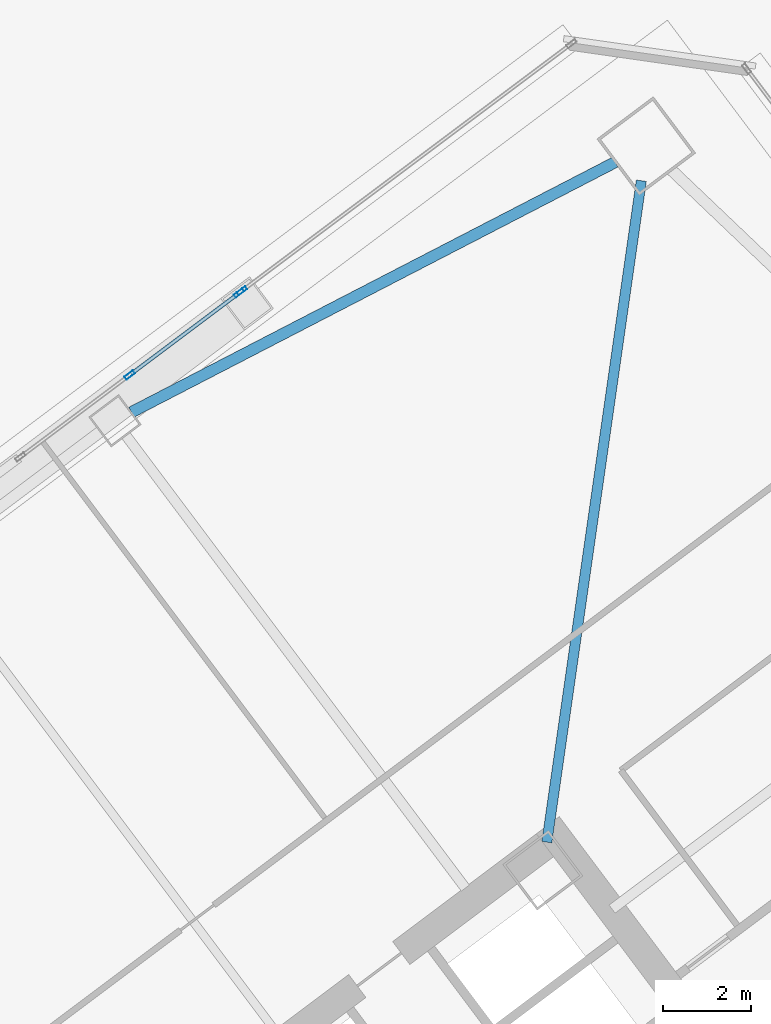
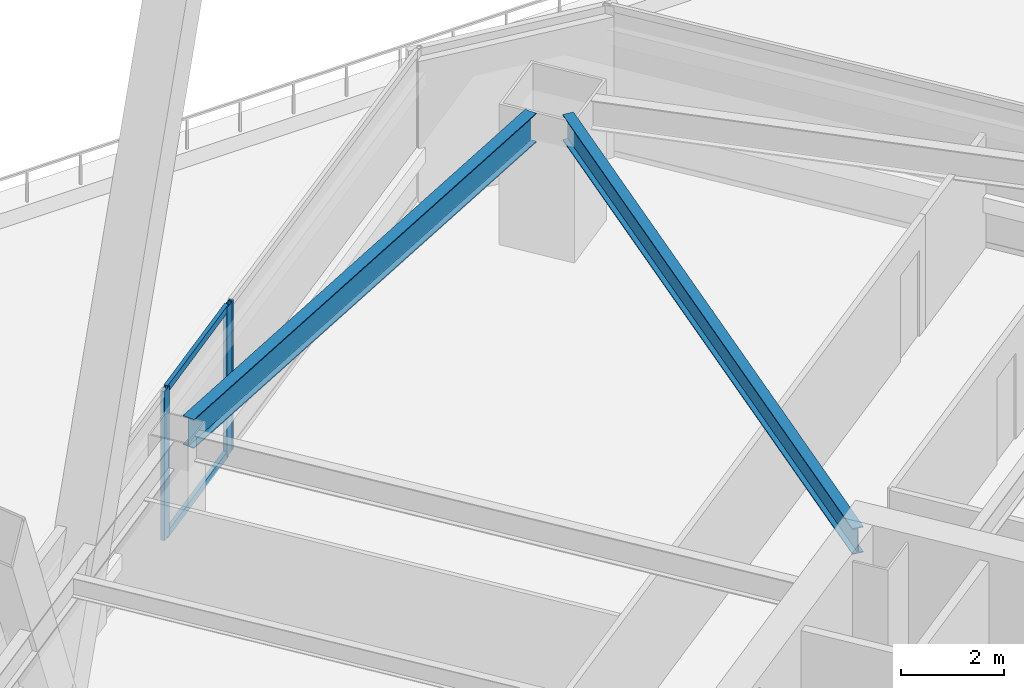
# One storey, part 55 of 83: 5 members, 2 beams, 2 elements without a shape of their own.
"""IFC4 building model written with IfcOpenShell, lengths in metres."""

from ifc_helpers import new_model, si_unit, direction, frame, origin, origin_2d, place, context, subcontext, project, spatial, hollow_rectangle, i_section, extrude, material, material_profile, profile_set, type_object, element, aggregate, save


model = new_model("IFC4")

# Units and contexts
model_context = context("Model", 3, precision=1e-05, world=origin(), true_north=direction((0.0, 1.0)))
body_context = subcontext(model_context, "Body", "Model", "MODEL_VIEW")
ifc_project = project(units=[si_unit("LENGTHUNIT", "METRE"), si_unit("AREAUNIT", "SQUARE_METRE"), si_unit("VOLUMEUNIT", "CUBIC_METRE"), si_unit("PLANEANGLEUNIT", "RADIAN"), si_unit("MASSUNIT", "GRAM", prefix="KILO")], contexts=[model_context])

# Site, building, storey
site_placement = place(None, origin())
site = spatial("IfcSite", under=ifc_project, at=site_placement, CompositionType="ELEMENT")
building_placement = place(site_placement, origin())
building = spatial("IfcBuilding", under=site, at=building_placement, Name="Tashvorn Skyway Center", CompositionType="ELEMENT")
storey_placement = place(building_placement, frame((0.0, 0.0, 24.60009765625)))
storey = spatial("IfcBuildingStorey", under=building, at=storey_placement, Name="L05", CompositionType="ELEMENT", Elevation=24.60009765625)

# Beams
ifc_material_1 = material(Name="Steel ASTM A992 Grade 50", Category="steel")
ifc_material_profile_1 = material_profile(ifc_material_1, i_section(OverallWidth=0.22998046875, OverallDepth=0.616943359375, WebThickness=0.01318359375, FlangeThickness=0.022216796875, at=origin_2d()), Name="W24X94")
ifc_profile_set_1 = profile_set([ifc_material_profile_1], Name="Steel ASTM A992 Grade 50")
beam_type_1 = type_object("IfcBeamType", Name="BM-BEAM-W24X94", PredefinedType="BEAM", material=ifc_profile_set_1)
beam_1_placement = place(storey_placement, frame((117.6474609375, 57.532958984375, 3.04150390625), z_axis=(-0.141414599991, -0.989950458816, 0.0), x_axis=(0.989950458816, -0.141414599991, 0.0)))
element("IfcBeam", 1, at=beam_1_placement, inside=storey, type_object=beam_type_1, Name="Tower 2 L05 Primary Floor Girder MC-NE", PredefinedType="BEAM", context=body_context, shape_type="SweptSolid", body=[
    extrude(i_section(OverallWidth=0.22998046875, OverallDepth=0.616943359375, WebThickness=0.01318359375, FlangeThickness=0.022216796875, at=origin_2d()), origin(), (0.0, 0.0, 1.0), 15.177001953125),
])
ifc_material_profile_2 = material_profile(ifc_material_1, i_section(OverallWidth=0.256103515625, OverallDepth=0.693115234375, WebThickness=0.014404296875, FlangeThickness=0.023681640625, at=origin_2d()), Name="W27X114")
ifc_profile_set_2 = profile_set([ifc_material_profile_2], Name="Steel ASTM A992 Grade 50")
beam_type_2 = type_object("IfcBeamType", Name="BM-SPANDREL-W27X114", PredefinedType="SPANDREL", material=ifc_profile_set_2)
beam_2_placement = place(storey_placement, frame((117.0537109375, 57.954833984375, 3.00341796875), z_axis=(-0.888315637339, -0.459233413919, 0.0), x_axis=(0.459233413919, -0.888315637339, 0.0)))
element("IfcBeam", 2, at=beam_2_placement, inside=storey, type_object=beam_type_2, Name="Tower 2 L05 Spandrel Beam 07", PredefinedType="SPANDREL", context=body_context, shape_type="SweptSolid", body=[
    extrude(i_section(OverallWidth=0.256103515625, OverallDepth=0.693115234375, WebThickness=0.014404296875, FlangeThickness=0.023681640625, at=origin_2d()), origin(), (0.0, 0.0, 1.0), 12.37255859375),
])

# Curtain wall, members
ifc_material_2 = material(Name="Thermally broken bronze-anodized aluminium 6063-T6", Category="aluminium")
curtain_wall_type = type_object("IfcCurtainWallType", Name="CW-CW-Z1", PredefinedType="NOTDEFINED", material=ifc_material_2)
curtain_wall_1_placement = place(storey_placement, origin())
curtain_wall_1 = element("IfcCurtainWall", 3, at=curtain_wall_1_placement, inside=storey, type_object=curtain_wall_type, Name="Tower 2 L05 North Unitised Curtain Wall Glazing Group 3", PredefinedType="NOTDEFINED")
ifc_material_profile_3 = material_profile(ifc_material_2, hollow_rectangle(XDim=0.0849609375, YDim=0.239990234375, WallThickness=0.0048828125, at=origin_2d()), Name="ALU-MULL-85x240")
ifc_profile_set_3 = profile_set([ifc_material_profile_3], Name="Thermally broken bronze-anodized aluminium 6063-T6")
member_type_1 = type_object("IfcMemberType", Name="CWM-CW-Z1", PredefinedType="MULLION", material=ifc_profile_set_3)
member_1_placement = place(storey_placement, frame((106.026611328125, 53.1201171875, 0.0), z_axis=(0.0, 0.0, 1.0), x_axis=(-0.599997457641, 0.800001906763, 0.0)))
member_1 = element("IfcMember", 4, at=member_1_placement, type_object=member_type_1, Name="CW-Z1 mullion 2", PredefinedType="MULLION", context=body_context, shape_type="SweptSolid", body=[
    extrude(hollow_rectangle(XDim=0.0849609375, YDim=0.239990234375, WallThickness=0.0048828125, at=origin_2d()), origin(), (0.0, 0.0, 1.0), 3.5498046875),
])
member_2_placement = place(storey_placement, frame((108.510009765625, 54.982421875, 0.0), z_axis=(0.0, 0.0, 1.0), x_axis=(-0.599997457641, 0.800001906763, 0.0)))
member_2 = element("IfcMember", 5, at=member_2_placement, type_object=member_type_1, Name="CW-Z1 mullion 3", PredefinedType="MULLION", context=body_context, shape_type="SweptSolid", body=[
    extrude(hollow_rectangle(XDim=0.0849609375, YDim=0.239990234375, WallThickness=0.0048828125, at=origin_2d()), origin(), (0.0, 0.0, 1.0), 3.5498046875),
])

# Curtain wall, member
curtain_wall_2_placement = place(storey_placement, origin())
curtain_wall_2 = element("IfcCurtainWall", 6, at=curtain_wall_2_placement, inside=storey, type_object=curtain_wall_type, Name="Tower 2 L05 North Unitised Curtain Wall Glazing Group 4", PredefinedType="NOTDEFINED")
member_3_placement = place(storey_placement, frame((108.577880859375, 55.033447265625, 0.0), z_axis=(0.0, 0.0, 1.0), x_axis=(-0.600000000002, 0.799999999998, 0.0)))
member_3 = element("IfcMember", 7, at=member_3_placement, type_object=member_type_1, Name="CW-Z1 mullion 1", PredefinedType="MULLION", context=body_context, shape_type="SweptSolid", body=[
    extrude(hollow_rectangle(XDim=0.0849609375, YDim=0.239990234375, WallThickness=0.0048828125, at=origin_2d()), origin(), (0.0, 0.0, 1.0), 3.5498046875),
])
aggregate(curtain_wall_2, [member_3])

# Member
ifc_material_profile_4 = material_profile(ifc_material_2, hollow_rectangle(XDim=0.0849609375, YDim=0.1650390625, WallThickness=0.0048828125, at=origin_2d()), Name="ALU-TRAN-85x165")
ifc_profile_set_4 = profile_set([ifc_material_profile_4], Name="Thermally broken bronze-anodized aluminium 6063-T6")
member_type_2 = type_object("IfcMemberType", Name="CWT-CW-Z1", PredefinedType="USERDEFINED", material=ifc_profile_set_4)
member_4_placement = place(storey_placement, frame((106.060546875, 53.1455078125, 0.04248046875), z_axis=(0.800019405753, 0.599974124791, 0.0), x_axis=(-0.599974124791, 0.800019405753, 0.0)))
member_4 = element("IfcMember", 8, at=member_4_placement, type_object=member_type_2, Name="CW-Z1 transom 2.1", ObjectType="TRANSOM", PredefinedType="USERDEFINED", context=body_context, shape_type="SweptSolid", body=[
    extrude(hollow_rectangle(XDim=0.0849609375, YDim=0.1650390625, WallThickness=0.0048828125, at=origin_2d()), origin(), (0.0, 0.0, 1.0), 3.019287109375),
])

member_5_placement = place(storey_placement, frame((106.060546875, 53.1455078125, 3.50732421875), z_axis=(0.800019405753, 0.599974124791, 0.0), x_axis=(-0.599974124791, 0.800019405753, 0.0)))
member_5 = element("IfcMember", 9, at=member_5_placement, type_object=member_type_2, Name="CW-Z1 transom 2.2", ObjectType="TRANSOM", PredefinedType="USERDEFINED", context=body_context, shape_type="SweptSolid", body=[
    extrude(hollow_rectangle(XDim=0.0849609375, YDim=0.1650390625, WallThickness=0.0048828125, at=origin_2d()), origin(), (0.0, 0.0, 1.0), 3.019287109375),
])

aggregate(curtain_wall_1, [member_1, member_2, member_4, member_5])

save(model, "model.ifc")
